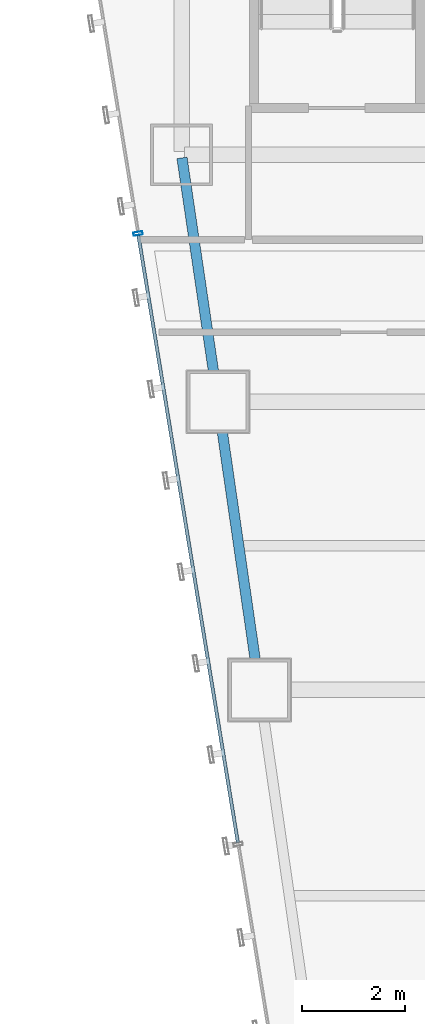
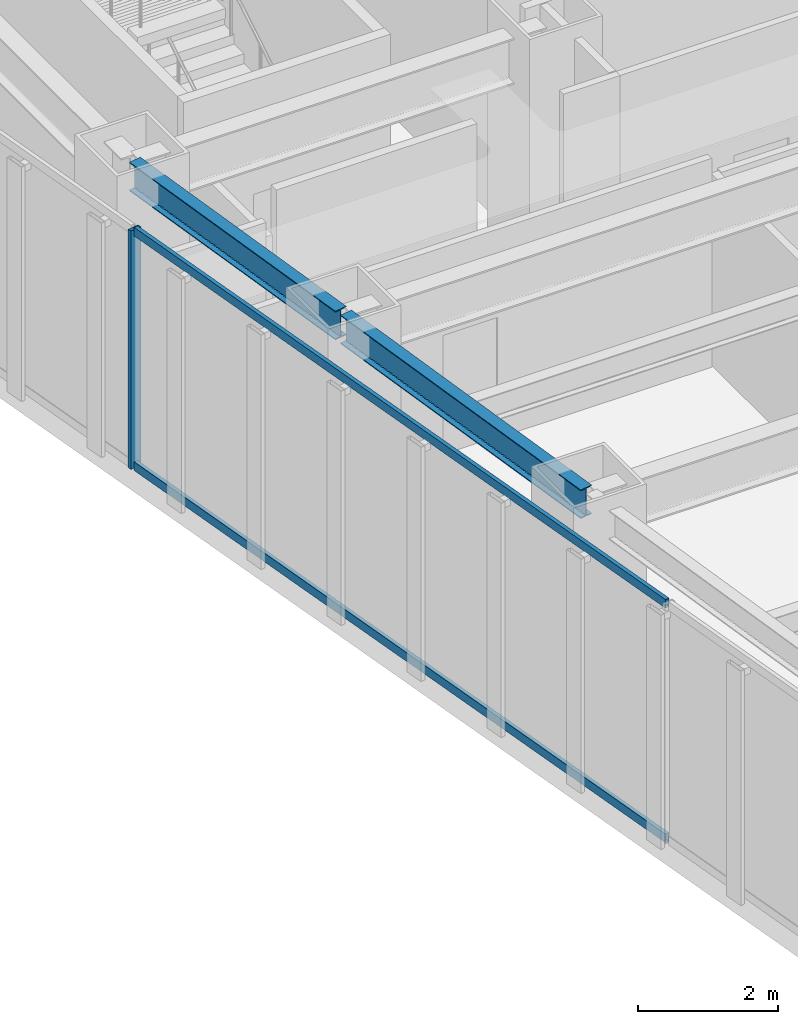
# One storey, part 22 of 49: 3 members, 2 beams, 1 element without a shape of its own.
"""IFC4 building model written with IfcOpenShell, lengths in metres."""

from ifc_helpers import new_model, si_unit, direction, frame, origin, origin_2d, place, context, subcontext, project, spatial, hollow_rectangle, i_section, extrude, material, material_profile, profile_set, type_object, element, aggregate, save


model = new_model("IFC4")

# Units and contexts
model_context = context("Model", 3, precision=1e-05, world=origin(), true_north=direction((0.0, 1.0)))
body_context = subcontext(model_context, "Body", "Model", "MODEL_VIEW")
ifc_project = project(units=[si_unit("LENGTHUNIT", "METRE"), si_unit("AREAUNIT", "SQUARE_METRE"), si_unit("VOLUMEUNIT", "CUBIC_METRE"), si_unit("PLANEANGLEUNIT", "RADIAN"), si_unit("MASSUNIT", "GRAM", prefix="KILO")], contexts=[model_context])

# Site, building, storey
site_placement = place(None, origin())
site = spatial("IfcSite", under=ifc_project, at=site_placement, CompositionType="ELEMENT")
building_placement = place(site_placement, origin())
building = spatial("IfcBuilding", under=site, at=building_placement, Name="Saevonmaru Cultural Tower", CompositionType="ELEMENT")
storey_placement = place(building_placement, frame((0.0, 0.0, 38.39990234375)))
storey = spatial("IfcBuildingStorey", under=building, at=storey_placement, Name="L07", CompositionType="ELEMENT", Elevation=38.39990234375)

# Beams
ifc_material_1 = material(Name="Steel SM355", Category="steel")
ifc_material_profile_1 = material_profile(ifc_material_1, i_section(OverallWidth=0.199951171875, OverallDepth=0.5, WebThickness=0.010009765625, FlangeThickness=0.01611328125, FilletRadius=0.02001953125, at=origin_2d()), Name="H-500x200x10x16")
ifc_profile_set_1 = profile_set([ifc_material_profile_1], Name="Steel SM355")
beam_type = type_object("IfcBeamType", Name="BM-SP-H500", PredefinedType="SPANDREL", material=ifc_profile_set_1)
beam_1_placement = place(storey_placement, frame((8.308349609375, 32.059326171875, 3.900146484375), z_axis=(-0.142964121327, 0.989727871697, 0.0), x_axis=(-0.989727871697, -0.142964121327, 0.0)))
element("IfcBeam", 1, at=beam_1_placement, inside=storey, type_object=beam_type, Name="L07 West Splayed Spandrel 5", PredefinedType="SPANDREL", context=body_context, shape_type="SweptSolid", body=[
    extrude(i_section(OverallWidth=0.199951171875, OverallDepth=0.5, WebThickness=0.010009765625, FlangeThickness=0.01611328125, FilletRadius=0.02001953125, at=origin_2d()), origin(), (0.0, 0.0, 1.0), 5.5380859375),
])
beam_2_placement = place(storey_placement, frame((7.499267578125, 37.659423828125, 3.900146484375), z_axis=(-0.145912860028, 0.989297446312, 0.0), x_axis=(-0.989297446312, -0.145912860028, 0.0)))
element("IfcBeam", 2, at=beam_2_placement, inside=storey, type_object=beam_type, Name="L07 West Splayed Spandrel 6", PredefinedType="SPANDREL", context=body_context, shape_type="SweptSolid", body=[
    extrude(i_section(OverallWidth=0.199951171875, OverallDepth=0.5, WebThickness=0.010009765625, FlangeThickness=0.01611328125, FilletRadius=0.02001953125, at=origin_2d()), origin(), (0.0, 0.0, 1.0), 4.731689453125),
])

# Curtain wall, members
ifc_material_2 = material(Name="Satin Bronze Anodised Aluminium", Category="aluminium")
curtain_wall_type = type_object("IfcCurtainWallType", Name="CW-TYP-A", PredefinedType="NOTDEFINED", material=ifc_material_2)
curtain_wall_placement = place(storey_placement, origin())
curtain_wall = element("IfcCurtainWall", 3, at=curtain_wall_placement, inside=storey, type_object=curtain_wall_type, Name="L07 Unitised Curtain Wall E12", PredefinedType="NOTDEFINED")
ifc_material_profile_2 = material_profile(ifc_material_2, hollow_rectangle(XDim=0.06494140625, YDim=0.179931640625, WallThickness=0.00390625, at=origin_2d()), Name="ALU-MULL-180x65x4")
ifc_profile_set_2 = profile_set([ifc_material_profile_2], Name="Satin Bronze Anodised Aluminium")
member_type_1 = type_object("IfcMemberType", Name="ML-CW-180x65", PredefinedType="MULLION", material=ifc_profile_set_2)
member_1_placement = place(storey_placement, frame((5.954833984375, 40.870361328125, 0.0), z_axis=(0.0, 0.0, 1.0), x_axis=(0.161708868641, -0.986838508472, 0.0)))
member_1 = element("IfcMember", 4, at=member_1_placement, type_object=member_type_1, Name="CW-TW-L07-E12 mullion 2", PredefinedType="MULLION", context=body_context, shape_type="SweptSolid", body=[
    extrude(hollow_rectangle(XDim=0.06494140625, YDim=0.179931640625, WallThickness=0.00390625, at=origin_2d()), origin(), (0.0, 0.0, 1.0), 4.150146484375),
])
ifc_material_profile_3 = material_profile(ifc_material_2, hollow_rectangle(XDim=0.06494140625, YDim=0.14990234375, WallThickness=0.00390625, at=origin_2d()), Name="ALU-TRAN-150x65x4")
ifc_profile_set_3 = profile_set([ifc_material_profile_3], Name="Satin Bronze Anodised Aluminium")
member_type_2 = type_object("IfcMemberType", Name="TR-CW-150x65", PredefinedType="USERDEFINED", material=ifc_profile_set_3)
member_2_placement = place(storey_placement, frame((5.960205078125, 40.83837890625, 0.03271484375), z_axis=(0.161701400727, -0.986839732177, 0.0), x_axis=(0.986839732177, 0.161701400727, 0.0)))
member_2 = element("IfcMember", 5, at=member_2_placement, type_object=member_type_2, Name="CW-TW-L07-E12 transom 2.1", ObjectType="TRANSOM", PredefinedType="USERDEFINED", context=body_context, shape_type="SweptSolid", body=[
    extrude(hollow_rectangle(XDim=0.06494140625, YDim=0.14990234375, WallThickness=0.00390625, at=origin_2d()), origin(), (0.0, 0.0, 1.0), 11.9638671875),
])
member_3_placement = place(storey_placement, frame((5.960205078125, 40.83837890625, 4.11767578125), z_axis=(0.161701400727, -0.986839732177, 0.0), x_axis=(0.986839732177, 0.161701400727, 0.0)))
member_3 = element("IfcMember", 6, at=member_3_placement, type_object=member_type_2, Name="CW-TW-L07-E12 transom 2.2", ObjectType="TRANSOM", PredefinedType="USERDEFINED", context=body_context, shape_type="SweptSolid", body=[
    extrude(hollow_rectangle(XDim=0.06494140625, YDim=0.14990234375, WallThickness=0.00390625, at=origin_2d()), origin(), (0.0, 0.0, 1.0), 11.9638671875),
])
aggregate(curtain_wall, [member_1, member_2, member_3])

save(model, "model.ifc")
